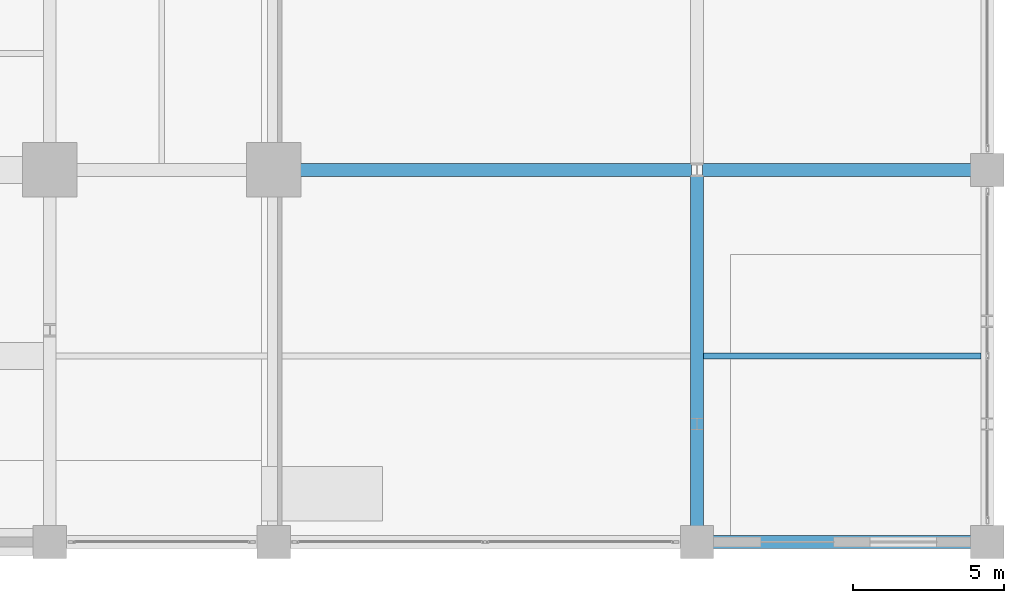
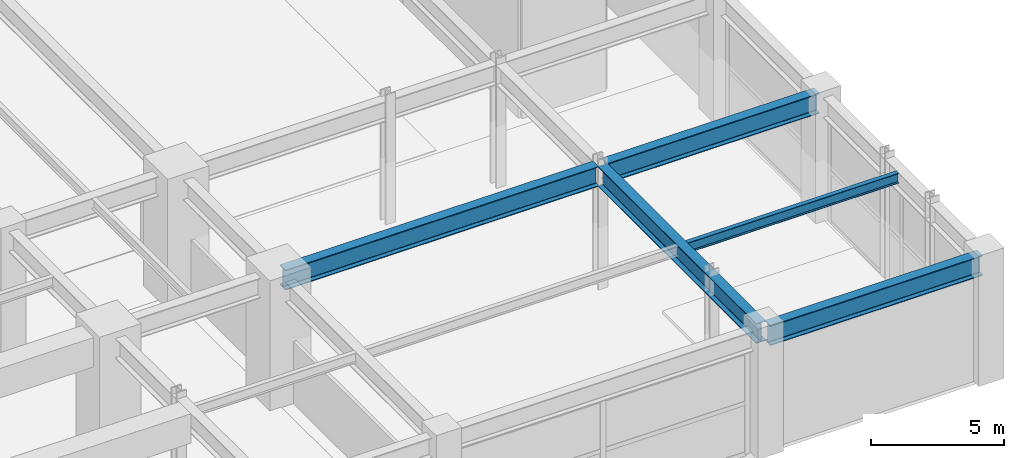
# One storey, part 21 of 41: 5 beams.
"""IFC4 building model written with IfcOpenShell, lengths in metres."""

from ifc_helpers import new_model, si_unit, direction, frame, origin, origin_2d, place, context, subcontext, project, spatial, i_section, extrude, material, material_profile, profile_set, type_object, element, save


model = new_model("IFC4")

# Units and contexts
model_context = context("Model", 3, precision=1e-05, world=origin(), true_north=direction((0.0, 1.0)))
body_context = subcontext(model_context, "Body", "Model", "MODEL_VIEW")
ifc_project = project(units=[si_unit("LENGTHUNIT", "METRE"), si_unit("AREAUNIT", "SQUARE_METRE"), si_unit("VOLUMEUNIT", "CUBIC_METRE"), si_unit("PLANEANGLEUNIT", "RADIAN"), si_unit("MASSUNIT", "GRAM", prefix="KILO")], contexts=[model_context])

# Site, building, storey
site_placement = place(None, origin())
site = spatial("IfcSite", under=ifc_project, at=site_placement, CompositionType="ELEMENT")
building_placement = place(site_placement, origin())
building = spatial("IfcBuilding", under=site, at=building_placement, Name="Kovane Verandah Tower", CompositionType="ELEMENT")
storey_placement = place(building_placement, origin())
storey = spatial("IfcBuildingStorey", under=building, at=storey_placement, Name="L00", CompositionType="ELEMENT", Elevation=0.0)

# Beams
ifc_material_1 = material(Name="Steel S460", Category="steel")
ifc_material_profile_1 = material_profile(ifc_material_1, i_section(OverallWidth=0.42041015625, OverallDepth=0.9208984375, WebThickness=0.021484375, FlangeThickness=0.03662109375, FilletRadius=0.024169921875, at=origin_2d()), Name="UB914x419x388")
ifc_profile_set_1 = profile_set([ifc_material_profile_1], Name="Steel S460")
beam_type_1 = type_object("IfcBeamType", Name="BM-UB914x388", PredefinedType="BEAM", material=ifc_profile_set_1)
beam_1_placement = place(storey_placement, frame((72.580078125, -1.5, 5.239501953125), z_axis=(1.0, 0.0, 0.0), x_axis=(0.0, 1.0, 0.0)))
element("IfcBeam", 1, at=beam_1_placement, inside=storey, type_object=beam_type_1, Name="L00 Podium Grid Girder X07", PredefinedType="BEAM", context=body_context, shape_type="SweptSolid", body=[
    extrude(i_section(OverallWidth=0.42041015625, OverallDepth=0.9208984375, WebThickness=0.021484375, FlangeThickness=0.03662109375, FilletRadius=0.024169921875, at=origin_2d()), origin(), (0.0, 0.0, 1.0), 9.239990234375),
])
beam_2_placement = place(storey_placement, frame((58.580078125, 10.800048828125, 5.239501953125), z_axis=(1.0, 0.0, 0.0), x_axis=(0.0, 1.0, 0.0)))
element("IfcBeam", 2, at=beam_2_placement, inside=storey, type_object=beam_type_1, Name="L00 Podium Grid Girder X10", PredefinedType="BEAM", context=body_context, shape_type="SweptSolid", body=[
    extrude(i_section(OverallWidth=0.42041015625, OverallDepth=0.9208984375, WebThickness=0.021484375, FlangeThickness=0.03662109375, FilletRadius=0.024169921875, at=origin_2d()), origin(), (0.0, 0.0, 1.0), 13.639892578125),
])
beam_3_placement = place(storey_placement, frame((72.580078125, 10.800048828125, 5.239501953125), z_axis=(1.0, 0.0, 0.0), x_axis=(0.0, 1.0, 0.0)))
element("IfcBeam", 3, at=beam_3_placement, inside=storey, type_object=beam_type_1, Name="L00 Podium Grid Girder X11", PredefinedType="BEAM", context=body_context, shape_type="SweptSolid", body=[
    extrude(i_section(OverallWidth=0.42041015625, OverallDepth=0.9208984375, WebThickness=0.021484375, FlangeThickness=0.03662109375, FilletRadius=0.024169921875, at=origin_2d()), origin(), (0.0, 0.0, 1.0), 9.239990234375),
])
beam_4_placement = place(storey_placement, frame((72.39990234375, -1.320068359375, 5.239501953125), z_axis=(0.0, 1.0, 0.0), x_axis=(-1.0, 0.0, 0.0)))
element("IfcBeam", 4, at=beam_4_placement, inside=storey, type_object=beam_type_1, Name="L00 Podium Grid Girder Y49", PredefinedType="BEAM", context=body_context, shape_type="SweptSolid", body=[
    extrude(i_section(OverallWidth=0.42041015625, OverallDepth=0.9208984375, WebThickness=0.021484375, FlangeThickness=0.03662109375, FilletRadius=0.024169921875, at=origin_2d()), origin(), (0.0, 0.0, 1.0), 11.940185546875),
])
ifc_material_2 = material(Name="Steel S355", Category="steel")
ifc_material_profile_2 = material_profile(ifc_material_2, i_section(OverallWidth=0.19287109375, OverallDepth=0.46728515625, WebThickness=0.011474609375, FlangeThickness=0.01953125, FilletRadius=0.01025390625, at=origin_2d()), Name="UB457x191x98")
ifc_profile_set_2 = profile_set([ifc_material_profile_2], Name="Steel S355")
beam_type_2 = type_object("IfcBeamType", Name="JST-UB457x98", PredefinedType="JOIST", material=ifc_profile_set_2)
beam_5_placement = place(storey_placement, frame((72.608154296875, 4.64990234375, 5.46630859375), z_axis=(1.0, 0.0, 0.0), x_axis=(0.0, 1.0, 0.0)))
element("IfcBeam", 5, at=beam_5_placement, inside=storey, type_object=beam_type_2, Name="L00 Podium Secondary Joist 07", PredefinedType="JOIST", context=body_context, shape_type="SweptSolid", body=[
    extrude(i_section(OverallWidth=0.19287109375, OverallDepth=0.46728515625, WebThickness=0.011474609375, FlangeThickness=0.01953125, FilletRadius=0.01025390625, at=origin_2d()), origin(), (0.0, 0.0, 1.0), 9.18359375),
])

save(model, "model.ifc")
